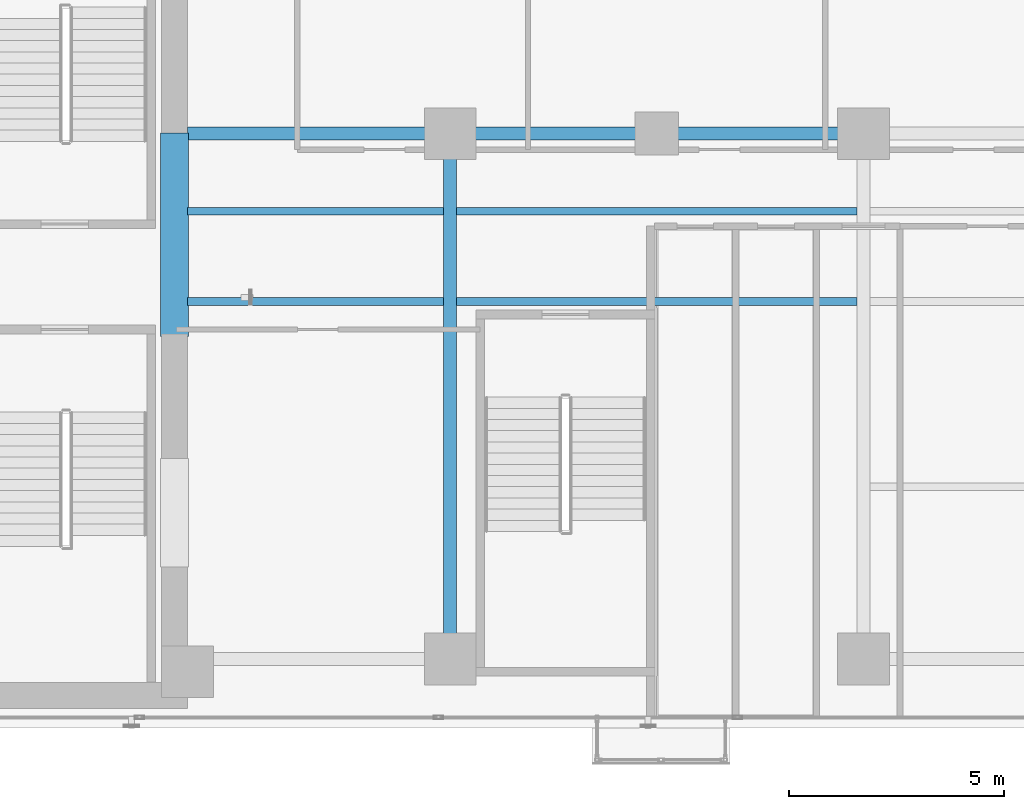
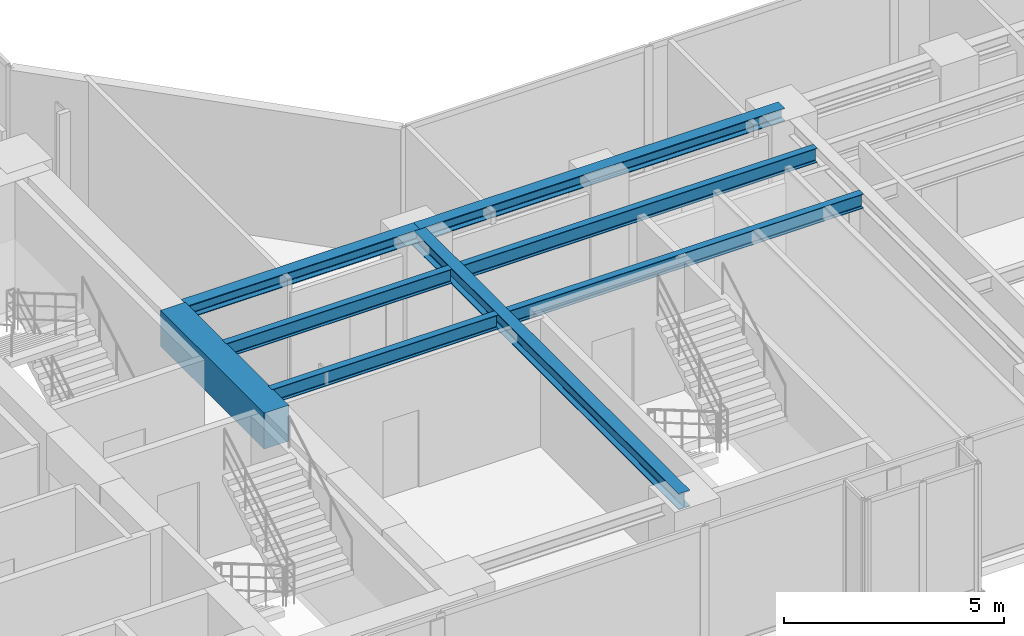
# One storey, part 5 of 23: 8 beams.
"""IFC4 building model written with IfcOpenShell, lengths in metres."""

from ifc_helpers import new_model, si_unit, direction, frame, origin, origin_2d, place, context, subcontext, project, spatial, rectangle, i_section, extrude, material, material_profile, profile_set, type_object, element, save


model = new_model("IFC4")

# Units and contexts
model_context = context("Model", 3, precision=1e-05, world=origin(), true_north=direction((0.0, 1.0)))
body_context = subcontext(model_context, "Body", "Model", "MODEL_VIEW")
ifc_project = project(units=[si_unit("LENGTHUNIT", "METRE"), si_unit("AREAUNIT", "SQUARE_METRE"), si_unit("VOLUMEUNIT", "CUBIC_METRE"), si_unit("PLANEANGLEUNIT", "RADIAN"), si_unit("MASSUNIT", "GRAM", prefix="KILO")], contexts=[model_context])

# Site, building, storey
site_placement = place(None, origin())
site = spatial("IfcSite", under=ifc_project, at=site_placement, CompositionType="ELEMENT")
building_placement = place(site_placement, origin())
building = spatial("IfcBuilding", under=site, at=building_placement, Name="Kolvaren Waterfront Exchange", CompositionType="ELEMENT")
storey_placement = place(building_placement, frame((0.0, 0.0, 188.0)))
storey = spatial("IfcBuildingStorey", under=building, at=storey_placement, Name="L48", CompositionType="ELEMENT", Elevation=188.0)

# Beams
ifc_material_1 = material(Name="Steel S355", Category="steel")
ifc_material_profile_1 = material_profile(ifc_material_1, i_section(OverallWidth=0.300048828125, OverallDepth=0.360107421875, WebThickness=0.012451171875, FlangeThickness=0.0224609375, FilletRadius=0.027099609375, at=origin_2d()), Name="HEB360")
ifc_profile_set_1 = profile_set([ifc_material_profile_1], Name="Steel S355")
beam_type_1 = type_object("IfcBeamType", Name="STR-BM-HEB360", PredefinedType="SPANDREL", material=ifc_profile_set_1)
beam_1_placement = place(storey_placement, frame((21.10009765625, 17.39990234375, 3.3798828125), z_axis=(1.0, 0.0, 0.0), x_axis=(0.0, 1.0, 0.0)))
element("IfcBeam", 1, at=beam_1_placement, inside=storey, type_object=beam_type_1, Name="L48 east-arm spandrel N1", PredefinedType="SPANDREL", context=body_context, shape_type="SweptSolid", body=[
    extrude(i_section(OverallWidth=0.300048828125, OverallDepth=0.360107421875, WebThickness=0.012451171875, FlangeThickness=0.0224609375, FilletRadius=0.027099609375, at=origin_2d()), origin(), (0.0, 0.0, 1.0), 6.099853515625),
])
beam_2_placement = place(storey_placement, frame((27.199951171875, 17.39990234375, 3.3798828125), z_axis=(1.0, 0.0, 0.0), x_axis=(0.0, 1.0, 0.0)))
element("IfcBeam", 2, at=beam_2_placement, inside=storey, type_object=beam_type_1, Name="L48 east-arm spandrel N2", PredefinedType="SPANDREL", context=body_context, shape_type="SweptSolid", body=[
    extrude(i_section(OverallWidth=0.300048828125, OverallDepth=0.360107421875, WebThickness=0.012451171875, FlangeThickness=0.0224609375, FilletRadius=0.027099609375, at=origin_2d()), origin(), (0.0, 0.0, 1.0), 9.60009765625),
])
ifc_material_profile_2 = material_profile(ifc_material_1, i_section(OverallWidth=0.300048828125, OverallDepth=0.449951171875, WebThickness=0.013916015625, FlangeThickness=0.02587890625, FilletRadius=0.027099609375, at=origin_2d()), Name="HEB450")
ifc_profile_set_2 = profile_set([ifc_material_profile_2], Name="Steel S355")
beam_type_2 = type_object("IfcBeamType", Name="STR-BM-HEB450", PredefinedType="BEAM", material=ifc_profile_set_2)
beam_3_placement = place(storey_placement, frame((27.199951171875, 5.199951171875, 3.3349609375), z_axis=(0.0, 1.0, 0.0), x_axis=(-1.0, 0.0, 0.0)))
element("IfcBeam", 3, at=beam_3_placement, inside=storey, type_object=beam_type_2, Name="L48 east-arm transverse girder X27", PredefinedType="BEAM", context=body_context, shape_type="SweptSolid", body=[
    extrude(i_section(OverallWidth=0.300048828125, OverallDepth=0.449951171875, WebThickness=0.013916015625, FlangeThickness=0.02587890625, FilletRadius=0.027099609375, at=origin_2d()), origin(), (0.0, 0.0, 1.0), 12.199951171875),
])
ifc_material_profile_3 = material_profile(ifc_material_1, i_section(OverallWidth=0.179931640625, OverallDepth=0.39990234375, WebThickness=0.008544921875, FlangeThickness=0.013427734375, FilletRadius=0.02099609375, at=origin_2d()), Name="IPE400")
ifc_profile_set_3 = profile_set([ifc_material_profile_3], Name="Steel S355")
beam_type_3 = type_object("IfcBeamType", Name="STR-BM-IPE400", PredefinedType="JOIST", material=ifc_profile_set_3)
for number, where, z_axis, x_axis, name in (
    (4, (21.10009765625, 13.5, 3.360107421875), (1.0, 0.0, 0.0), (0.0, 1.0, 0.0), "L48 east-arm composite joist 1A"),
    (5, (21.10009765625, 15.60009765625, 3.360107421875), (1.0, 0.0, 0.0), (0.0, 1.0, 0.0), "L48 east-arm composite joist 1C"),
):
    element("IfcBeam", number, at=place(storey_placement, frame(where, z_axis=z_axis, x_axis=x_axis)), inside=storey, type_object=beam_type_3, Name=name, PredefinedType="JOIST", context=body_context, shape_type="SweptSolid", body=[
        extrude(i_section(OverallWidth=0.179931640625, OverallDepth=0.39990234375, WebThickness=0.008544921875, FlangeThickness=0.013427734375, FilletRadius=0.02099609375, at=origin_2d()), origin(), (0.0, 0.0, 1.0), 5.947998046875),
    ])
for number, where, z_axis, x_axis, name in (
    (6, (27.35205078125, 13.5, 3.360107421875), (1.0, 0.0, 0.0), (0.0, 1.0, 0.0), "L48 east-arm composite joist 2A"),
    (7, (27.35205078125, 15.60009765625, 3.360107421875), (1.0, 0.0, 0.0), (0.0, 1.0, 0.0), "L48 east-arm composite joist 2C"),
):
    element("IfcBeam", number, at=place(storey_placement, frame(where, z_axis=z_axis, x_axis=x_axis)), inside=storey, type_object=beam_type_3, Name=name, PredefinedType="JOIST", context=body_context, shape_type="SweptSolid", body=[
        extrude(i_section(OverallWidth=0.179931640625, OverallDepth=0.39990234375, WebThickness=0.008544921875, FlangeThickness=0.013427734375, FilletRadius=0.02099609375, at=origin_2d()), origin(), (0.0, 0.0, 1.0), 9.2958984375),
    ])
ifc_material_2 = material(Name="Concrete C60/75", Category="concrete")
ifc_material_profile_4 = material_profile(ifc_material_2, rectangle(XDim=0.64990234375, YDim=1.0, at=origin_2d()), Name="RC-CB-1000x650")
ifc_profile_set_4 = profile_set([ifc_material_profile_4], Name="Concrete C60/75")
beam_type_4 = type_object("IfcBeamType", Name="STR-CB-1000", PredefinedType="SPANDREL", material=ifc_profile_set_4)
beam_4_placement = place(storey_placement, frame((20.800048828125, 12.68994140625, 3.06005859375), z_axis=(0.0, 1.0, 0.0), x_axis=(-1.0, 0.0, 0.0)))
element("IfcBeam", 8, at=beam_4_placement, inside=storey, type_object=beam_type_4, Name="L48 core coupling beam 2", PredefinedType="SPANDREL", context=body_context, shape_type="SweptSolid", body=[
    extrude(rectangle(XDim=0.64990234375, YDim=1.0, at=origin_2d()), origin(), (0.0, 0.0, 1.0), 4.719970703125),
])

save(model, "model.ifc")
